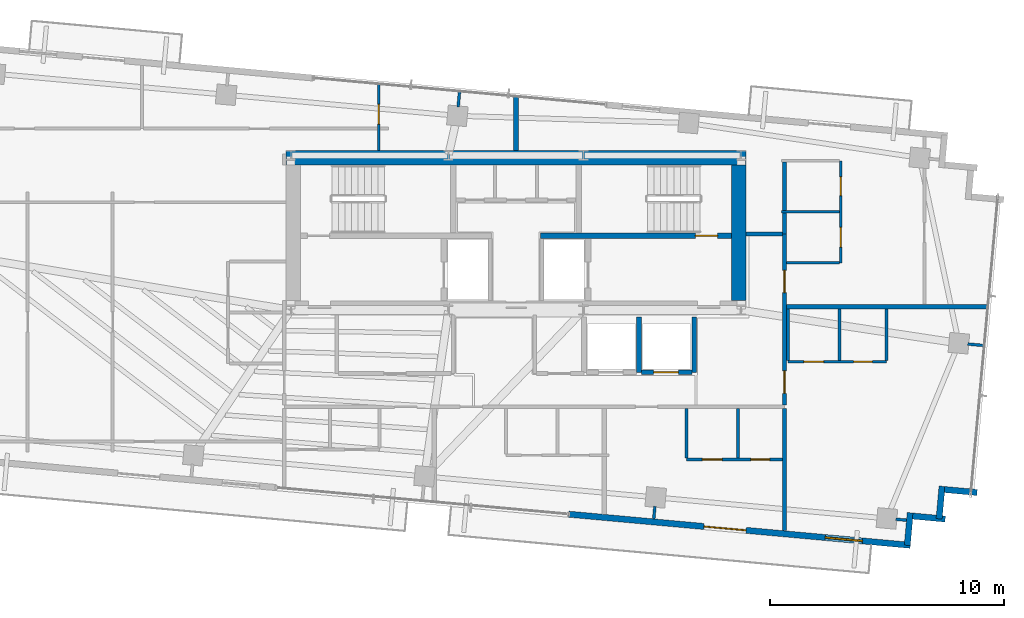
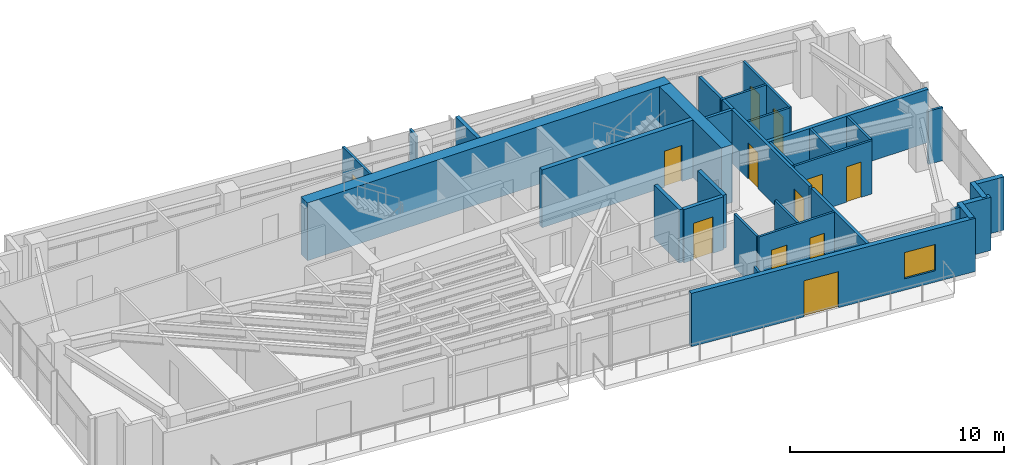
# One storey, part 18 of 22: 33 walls, 12 doors, 1 window, 13 openings.
"""IFC4 building model written with IfcOpenShell, lengths in metres."""

from ifc_helpers import new_model, si_unit, direction, frame, frame_2d, origin, place, context, subcontext, project, spatial, rectangle, extrude, source, transform, mapped, material, layer, layer_set, type_object, type_shapes, element, fill, save


model = new_model("IFC4")

# Units and contexts
model_context = context("Model", 3, precision=1e-05, world=origin(), true_north=direction((0.0, 1.0)))
body_context = subcontext(model_context, "Body", "Model", "MODEL_VIEW")
ifc_project = project(units=[si_unit("LENGTHUNIT", "METRE"), si_unit("AREAUNIT", "SQUARE_METRE"), si_unit("VOLUMEUNIT", "CUBIC_METRE"), si_unit("PLANEANGLEUNIT", "RADIAN"), si_unit("MASSUNIT", "GRAM", prefix="KILO")], contexts=[model_context])

# Site, building, storey
site_placement = place(None, origin())
site = spatial("IfcSite", under=ifc_project, at=site_placement, CompositionType="ELEMENT")
building_placement = place(site_placement, origin())
building = spatial("IfcBuilding", under=site, at=building_placement, Name="Astriad Promenade Condominiums", CompositionType="ELEMENT")
storey_placement = place(building_placement, frame((0.0, 0.0, 233.10009765625)))
storey = spatial("IfcBuildingStorey", under=building, at=storey_placement, Name="L67", CompositionType="ELEMENT", Elevation=233.10009765625)

# Walls
ifc_material_1 = material(Name="Concrete C50/60", Category="concrete")
ifc_layer_1 = layer(ifc_material_1, 0.60009765625)
ifc_layer_set_1 = layer_set([ifc_layer_1], Name="Concrete C50/60")
wall_type_1 = type_object("IfcWallType", Name="CW-SHEAR-600", PredefinedType="SHEAR", material=ifc_layer_set_1)
wall_1_placement = place(storey_placement, frame((26.199951171875, 23.89990234375, 0.0), z_axis=(0.0, 0.0, 1.0), x_axis=(1.0, 0.0, 0.0)))
element("IfcWall", 1, at=wall_1_placement, inside=storey, type_object=wall_type_1, Name="CW-CORE-N-L67", PredefinedType="SHEAR", context=body_context, shape_type="SweptSolid", body=[
    extrude(rectangle(XDim=19.60009765625, YDim=0.60009765625, at=frame_2d((9.800048828125, 0.0))), origin(), (0.0, 0.0, 1.0), 3.2998046875),
])
wall_2_placement = place(storey_placement, frame((45.5, 17.802001953125, 0.0), z_axis=(0.0, 0.0, 1.0), x_axis=(0.0, 1.0, 0.0)))
element("IfcWall", 2, at=wall_2_placement, inside=storey, type_object=wall_type_1, Name="CW-CORE-E-L67", PredefinedType="SHEAR", context=body_context, shape_type="SweptSolid", body=[
    extrude(rectangle(XDim=5.7958984375, YDim=0.60009765625, at=frame_2d((2.89794921875, 0.0))), origin(), (0.0, 0.0, 1.0), 3.2998046875),
])

# Wall, opening, door
ifc_layer_2 = layer(ifc_material_1, 0.25)
ifc_layer_set_2 = layer_set([ifc_layer_2], Name="Concrete C50/60")
wall_type_2 = type_object("IfcWallType", Name="WALL-CORE-INT-250", PredefinedType="SOLIDWALL", material=ifc_layer_set_2)
wall_3_placement = place(storey_placement, frame((37.050048828125, 20.574951171875, 0.0), z_axis=(0.0, 0.0, 1.0), x_axis=(1.0, 0.0, 0.0)))
wall_3 = element("IfcWall", 3, at=wall_3_placement, inside=storey, type_object=wall_type_2, Name="CW-INT-H2-L67", PredefinedType="SOLIDWALL", context=body_context, shape_type="SweptSolid", body=[
    extrude(rectangle(XDim=8.14794921875, YDim=0.25, at=frame_2d((4.073974609375, 0.0))), origin(), (0.0, 0.0, 1.0), 3.2998046875),
])
opening_1_placement = place(wall_3_placement, frame((6.60009765625, 0.0, 0.0)))
opening_1 = element("IfcOpeningElement", 4, at=opening_1_placement, cuts=wall_3, Name="Opening FD90-ST-095", PredefinedType="OPENING", context=body_context, shape_type="SweptSolid", body=[
    extrude(rectangle(XDim=0.949951171875, YDim=2.06005859375, at=frame_2d((0.47509765625, 1.030029296875))), frame((0.0, 0.135009765625, 0.0), z_axis=(0.0, -1.0, 0.0), x_axis=(1.0, 0.0, 0.0)), (0.0, 0.0, 1.0), 0.27001953125),
])
ifc_material_2 = material(Name="Fire-Rated Hollow Metal Stair Door")
door_type_1 = type_object("IfcDoorType", Name="FD90-ST-095", OperationType="NOTDEFINED", PredefinedType="DOOR", material=ifc_material_2)
shared_shape_1 = source(origin(), body_context, "Body", "SweptSolid", [
    extrude(rectangle(XDim=0.949951171875, YDim=2.06005859375, at=frame_2d((0.47509765625, 1.030029296875))), frame((0.0, 0.02490234375, 0.0), z_axis=(0.0, -1.0, 0.0), x_axis=(1.0, 0.0, 0.0)), (0.0, 0.0, 1.0), 0.050048828125),
])
type_shapes(door_type_1, [shared_shape_1])
door_1_placement = place(opening_1_placement, origin())
door_1 = element("IfcDoor", 5, at=door_1_placement, inside=storey, type_object=door_type_1, Name="D-ST2-L67", OperationType="SINGLE_SWING_LEFT", OverallHeight=2.06005859375, OverallWidth=0.949951171875, PredefinedType="DOOR", context=body_context, shape_type="MappedRepresentation", body=[
    mapped(shared_shape_1, transform((0.0, 0.0, 0.0), scale=1.0)),
])
fill(opening_1, door_1)

# Wall
ifc_material_3 = material(Name="Fire-Rated Gypsum Partition")
ifc_layer_3 = layer(ifc_material_3, 0.159912109375)
ifc_layer_set_3 = layer_set([ifc_layer_3], Name="Fire-Rated Gypsum Partition")
wall_type_3 = type_object("IfcWallType", Name="WALL-CORR-160", PredefinedType="PARTITIONING", material=ifc_layer_set_3)
wall_4_placement = place(storey_placement, frame((47.449951171875, 7.9931640625, 0.0), z_axis=(0.0, 0.0, 1.0), x_axis=(0.0, 1.0, 0.0)))
element("IfcWall", 6, at=wall_4_placement, inside=storey, type_object=wall_type_3, Name="PT-COR-E-L67", PredefinedType="PARTITIONING", context=body_context, shape_type="SweptSolid", body=[
    extrude(rectangle(XDim=5.204833984375, YDim=0.159912109375, at=frame_2d((2.6025390625, 0.0))), origin(), (0.0, 0.0, 1.0), 3.039794921875),
])

# Wall, openings, doors
wall_5_placement = place(storey_placement, frame((47.449951171875, 13.362060546875, 0.0), z_axis=(0.0, 0.0, 1.0), x_axis=(0.0, 1.0, 0.0)))
wall_5 = element("IfcWall", 7, at=wall_5_placement, inside=storey, type_object=wall_type_3, Name="PT-COR-E-L67-S2", PredefinedType="PARTITIONING", context=body_context, shape_type="SweptSolid", body=[
    extrude(rectangle(XDim=7.287841796875, YDim=0.159912109375, at=frame_2d((3.64404296875, 0.0))), origin(), (0.0, 0.0, 1.0), 3.039794921875),
])
opening_2_placement = place(wall_5_placement, frame((0.492919921875, 0.0, 0.0)))
opening_2 = element("IfcOpeningElement", 8, at=opening_2_placement, cuts=wall_5, Name="Opening FD60-APT-095", PredefinedType="OPENING", context=body_context, shape_type="SweptSolid", body=[
    extrude(rectangle(XDim=0.949951171875, YDim=2.06005859375, at=frame_2d((0.47509765625, 1.030029296875))), frame((0.0, 0.08984375, 0.0), z_axis=(0.0, -1.0, 0.0), x_axis=(1.0, 0.0, 0.0)), (0.0, 0.0, 1.0), 0.179931640625),
])
opening_3_placement = place(wall_5_placement, frame((4.782958984375, 0.0, 0.0)))
opening_3 = element("IfcOpeningElement", 9, at=opening_3_placement, cuts=wall_5, Name="Opening FD60-APT-095", PredefinedType="OPENING", context=body_context, shape_type="SweptSolid", body=[
    extrude(rectangle(XDim=0.949951171875, YDim=2.06005859375, at=frame_2d((0.47509765625, 1.030029296875))), frame((0.0, 0.08984375, 0.0), z_axis=(0.0, -1.0, 0.0), x_axis=(1.0, 0.0, 0.0)), (0.0, 0.0, 1.0), 0.179931640625),
])
ifc_material_4 = material(Name="Solid-Core Acoustic Timber Residence Entry Door", Category="wood")
door_type_2 = type_object("IfcDoorType", Name="FD60-APT-095", OperationType="NOTDEFINED", PredefinedType="DOOR", material=ifc_material_4)
shared_shape_2 = source(origin(), body_context, "Body", "SweptSolid", [
    extrude(rectangle(XDim=0.949951171875, YDim=2.06005859375, at=frame_2d((0.47509765625, 1.030029296875))), frame((0.0, 0.02490234375, 0.0), z_axis=(0.0, -1.0, 0.0), x_axis=(1.0, 0.0, 0.0)), (0.0, 0.0, 1.0), 0.050048828125),
])
type_shapes(door_type_2, [shared_shape_2])
door_2_placement = place(opening_2_placement, origin())
door_2 = element("IfcDoor", 10, at=door_2_placement, inside=storey, type_object=door_type_2, Name="D-ENT-L67-E1", OperationType="SINGLE_SWING_RIGHT", OverallHeight=2.06005859375, OverallWidth=0.949951171875, PredefinedType="DOOR", context=body_context, shape_type="MappedRepresentation", body=[
    mapped(shared_shape_2, transform((0.0, 0.0, 0.0), scale=1.0)),
])
fill(opening_2, door_2)
door_3_placement = place(opening_3_placement, origin())
door_3 = element("IfcDoor", 11, at=door_3_placement, inside=storey, type_object=door_type_2, Name="D-ENT-L67-E2", OperationType="SINGLE_SWING_LEFT", OverallHeight=2.06005859375, OverallWidth=0.949951171875, PredefinedType="DOOR", context=body_context, shape_type="MappedRepresentation", body=[
    mapped(shared_shape_2, transform((0.0, 0.0, 0.0), scale=1.0)),
])
fill(opening_3, door_3)

# Walls
wall_6_placement = place(storey_placement, frame((45.802001953125, 20.64990234375, 0.0), z_axis=(0.0, 0.0, 1.0), x_axis=(1.0, 0.0, 0.0)))
element("IfcWall", 12, at=wall_6_placement, inside=storey, type_object=wall_type_3, Name="PT-Z3E-N-L67", PredefinedType="PARTITIONING", context=body_context, shape_type="SweptSolid", body=[
    extrude(rectangle(XDim=1.56591796875, YDim=0.159912109375, at=frame_2d((0.782958984375, 0.0))), origin(), (0.0, 0.0, 1.0), 3.039794921875),
])
wall_7_placement = place(storey_placement, frame((47.449951171875, 20.64990234375, 0.0), z_axis=(0.0, 0.0, 1.0), x_axis=(0.0, 1.0, 0.0)))
element("IfcWall", 13, at=wall_7_placement, inside=storey, type_object=wall_type_3, Name="PT-L67-E2-PBK", PredefinedType="PARTITIONING", context=body_context, shape_type="SweptSolid", body=[
    extrude(rectangle(XDim=0.883056640625, YDim=0.159912109375, at=frame_2d((0.44140625, 0.0))), origin(), (0.0, 0.0, 1.0), 3.039794921875),
])
wall_8_placement = place(storey_placement, frame((47.449951171875, 21.656982421875, 0.0), z_axis=(0.0, 0.0, 1.0), x_axis=(0.0, 1.0, 0.0)))
element("IfcWall", 14, at=wall_8_placement, inside=storey, type_object=wall_type_3, Name="PT-L67-E2-PBK-S2", PredefinedType="PARTITIONING", context=body_context, shape_type="SweptSolid", body=[
    extrude(rectangle(XDim=2.051025390625, YDim=0.159912109375, at=frame_2d((1.025390625, 0.0))), origin(), (0.0, 0.0, 1.0), 3.039794921875),
])
ifc_material_5 = material(Name="Acoustic Double-Stud Gypsum Partition")
ifc_layer_4 = layer(ifc_material_5, 0.199951171875)
ifc_layer_set_4 = layer_set([ifc_layer_4], Name="Acoustic Double-Stud Gypsum Partition")
wall_type_4 = type_object("IfcWallType", Name="WALL-DEMISING-200", PredefinedType="PARTITIONING", material=ifc_layer_set_4)
wall_9_placement = place(storey_placement, frame((36.0, 24.201904296875, 0.0), z_axis=(0.0, 0.0, 1.0), x_axis=(0.0, 1.0, 0.0)))
element("IfcWall", 15, at=wall_9_placement, inside=storey, type_object=wall_type_4, Name="PT-NC-MID-L67", PredefinedType="PARTITIONING", context=body_context, shape_type="SweptSolid", body=[
    extrude(rectangle(XDim=2.36328125, YDim=0.199951171875, at=frame_2d((1.181640625, 0.0))), origin(), (0.0, 0.0, 1.0), 3.039794921875),
])
wall_10_placement = place(storey_placement, frame((47.531982421875, 17.550048828125, 0.0), z_axis=(0.0, 0.0, 1.0), x_axis=(1.0, 0.0, 0.0)))
element("IfcWall", 16, at=wall_10_placement, inside=storey, type_object=wall_type_4, Name="PT-DEM-EE-L67", PredefinedType="PARTITIONING", context=body_context, shape_type="SweptSolid", body=[
    extrude(rectangle(XDim=8.643310546875, YDim=0.199951171875, at=frame_2d((4.32177734375, 0.0))), origin(), (0.0, 0.0, 1.0), 3.039794921875),
])
ifc_material_6 = material(Name="Precast concrete C50/60", Category="concrete")
ifc_layer_5 = layer(ifc_material_6, 0.260009765625)
ifc_layer_set_5 = layer_set([ifc_layer_5], Name="Precast concrete C50/60")
wall_type_5 = type_object("IfcWallType", Name="WALL-EXT-TWR-260", PredefinedType="STANDARD", material=ifc_layer_set_5)
for number, where, z_axis, x_axis, name in (
    (17, (55.664794921875, 9.623291015625, 0.0), (0.0, 0.0, 1.0), (-0.995881721538, 0.090661991521, 0.0), "W-SER-L67-14"),
    (18, (54.1728515625, 9.889404296875, 0.0), (0.0, 0.0, 1.0), (-0.090661991521, -0.995881721538, 0.0), "W-SER-L67-15"),
):
    element("IfcWall", number, at=place(storey_placement, frame(where, z_axis=z_axis, x_axis=x_axis)), inside=storey, type_object=wall_type_5, Name=name, PredefinedType="STANDARD", context=body_context, shape_type="SweptSolid", body=[
        extrude(rectangle(XDim=1.39501953125, YDim=0.260009765625, at=frame_2d((0.697509765625, 0.0))), origin(), (0.0, 0.0, 1.0), 3.039794921875),
    ])
for number, where, z_axis, x_axis, name in (
    (19, (54.306884765625, 8.49169921875, 0.0), (0.0, 0.0, 1.0), (-0.995883159782, 0.090646191665, 0.0), "W-SER-L67-16"),
    (20, (52.814697265625, 8.758056640625, 0.0), (0.0, 0.0, 1.0), (-0.090646191665, -0.995883159782, 0.0), "W-SER-L67-17"),
):
    element("IfcWall", number, at=place(storey_placement, frame(where, z_axis=z_axis, x_axis=x_axis)), inside=storey, type_object=wall_type_5, Name=name, PredefinedType="STANDARD", context=body_context, shape_type="SweptSolid", body=[
        extrude(rectangle(XDim=1.395263671875, YDim=0.260009765625, at=frame_2d((0.69775390625, 0.0))), origin(), (0.0, 0.0, 1.0), 3.039794921875),
    ])

# Wall, openings, door, window
wall_11_placement = place(storey_placement, frame((52.819091796875, 7.371826171875, 0.0), z_axis=(0.0, 0.0, 1.0), x_axis=(-0.995884447498, 0.090632043071, 0.0)))
wall_11 = element("IfcWall", 21, at=wall_11_placement, inside=storey, type_object=wall_type_5, Name="W-EXT-L67-S1", PredefinedType="STANDARD", context=body_context, shape_type="SweptSolid", body=[
    extrude(rectangle(XDim=14.6298828125, YDim=0.260009765625, at=frame_2d((7.31494140625, 0.0))), origin(), (0.0, 0.0, 1.0), 3.039794921875),
])
opening_4_placement = place(wall_11_placement, frame((7.037109375, 0.0, 0.0)))
opening_4 = element("IfcOpeningElement", 22, at=opening_4_placement, cuts=wall_11, Name="Opening BD-1822-SLD", PredefinedType="OPENING", context=body_context, shape_type="SweptSolid", body=[
    extrude(rectangle(XDim=1.800048828125, YDim=2.06005859375, at=frame_2d((0.89990234375, 1.030029296875))), frame((0.0, 0.139892578125, 0.0), z_axis=(0.0, -1.0, 0.0), x_axis=(1.0, 0.0, 0.0)), (0.0, 0.0, 1.0), 0.280029296875),
])
opening_5_placement = place(wall_11_placement, frame((2.050048828125, 0.0, 0.64990234375)))
opening_5 = element("IfcOpeningElement", 23, at=opening_5_placement, cuts=wall_11, Name="Opening WIN-TWR-1620", PredefinedType="OPENING", context=body_context, shape_type="SweptSolid", body=[
    extrude(rectangle(XDim=1.60009765625, YDim=1.5, at=frame_2d((0.800048828125, 0.75))), frame((0.0, 0.139892578125, 0.0), z_axis=(0.0, -1.0, 0.0), x_axis=(1.0, 0.0, 0.0)), (0.0, 0.0, 1.0), 0.280029296875),
])
ifc_material_7 = material(Name="Thermally Broken Aluminium Sliding Balcony Door", Category="aluminium")
door_type_3 = type_object("IfcDoorType", Name="BD-1822-SLD", OperationType="NOTDEFINED", PredefinedType="DOOR", material=ifc_material_7)
shared_shape_3 = source(origin(), body_context, "Body", "SweptSolid", [
    extrude(rectangle(XDim=1.800048828125, YDim=2.06005859375, at=frame_2d((0.89990234375, 1.030029296875))), frame((0.0, 0.02490234375, 0.0), z_axis=(0.0, -1.0, 0.0), x_axis=(1.0, 0.0, 0.0)), (0.0, 0.0, 1.0), 0.050048828125),
])
type_shapes(door_type_3, [shared_shape_3])
door_4_placement = place(opening_4_placement, origin())
door_4 = element("IfcDoor", 24, at=door_4_placement, inside=storey, type_object=door_type_3, Name="BD-L67-SE", OperationType="SLIDING_TO_RIGHT", OverallHeight=2.06005859375, OverallWidth=1.800048828125, PredefinedType="DOOR", context=body_context, shape_type="MappedRepresentation", body=[
    mapped(shared_shape_3, transform((0.0, 0.0, 0.0), scale=1.0)),
])
fill(opening_4, door_4)
ifc_material_8 = material(Name="Dark Tinted Triple-Glazed Aluminium Window", Category="aluminium")
window_type = type_object("IfcWindowType", Name="WIN-TWR-1620", PartitioningType="SINGLE_PANEL", PredefinedType="WINDOW", material=ifc_material_8)
shared_shape_4 = source(origin(), body_context, "Body", "SweptSolid", [
    extrude(rectangle(XDim=1.60009765625, YDim=1.5, at=frame_2d((0.800048828125, 0.75))), frame((0.0, 0.030029296875, 0.0), z_axis=(0.0, -1.0, 0.0), x_axis=(1.0, 0.0, 0.0)), (0.0, 0.0, 1.0), 0.06005859375),
])
type_shapes(window_type, [shared_shape_4])
window_placement = place(opening_5_placement, origin())
window = element("IfcWindow", 25, at=window_placement, inside=storey, type_object=window_type, Name="WIN-L67-SE", OverallHeight=1.5, OverallWidth=1.60009765625, PartitioningType="SINGLE_PANEL", PredefinedType="WINDOW", context=body_context, shape_type="MappedRepresentation", body=[
    mapped(shared_shape_4, transform((0.0, 0.0, 0.0), scale=1.0)),
])
fill(opening_5, window)

# Wall, openings, doors
ifc_material_9 = material(Name="Acoustic Metal-Stud Gypsum Partition")
ifc_layer_6 = layer(ifc_material_9, 0.1201171875)
ifc_layer_set_6 = layer_set([ifc_layer_6], Name="Acoustic Metal-Stud Gypsum Partition")
wall_type_6 = type_object("IfcWallType", Name="WALL-PART-120", PredefinedType="PARTITIONING", material=ifc_layer_set_6)
wall_12_placement = place(storey_placement, frame((43.27001953125, 11.030029296875, 0.0), z_axis=(0.0, 0.0, 1.0), x_axis=(1.0, 0.0, 0.0)))
wall_12 = element("IfcWall", 26, at=wall_12_placement, inside=storey, type_object=wall_type_6, Name="PT-L67-S3-PS", PredefinedType="PARTITIONING", context=body_context, shape_type="SweptSolid", body=[
    extrude(rectangle(XDim=4.097900390625, YDim=0.1201171875, at=frame_2d((2.048828125, 0.0))), origin(), (0.0, 0.0, 1.0), 3.039794921875),
])
opening_6_placement = place(wall_12_placement, frame((0.675048828125, 0.0, 0.0)))
opening_6 = element("IfcOpeningElement", 27, at=opening_6_placement, cuts=wall_12, Name="Opening D-INT-085", PredefinedType="OPENING", context=body_context, shape_type="SweptSolid", body=[
    extrude(rectangle(XDim=0.85009765625, YDim=2.050048828125, at=frame_2d((0.425048828125, 1.02490234375))), frame((0.0, 0.070068359375, 0.0), z_axis=(0.0, -1.0, 0.0), x_axis=(1.0, 0.0, 0.0)), (0.0, 0.0, 1.0), 0.14013671875),
])
opening_7_placement = place(wall_12_placement, frame((2.75, 0.0, 0.0)))
opening_7 = element("IfcOpeningElement", 28, at=opening_7_placement, cuts=wall_12, Name="Opening D-WET-080", PredefinedType="OPENING", context=body_context, shape_type="SweptSolid", body=[
    extrude(rectangle(XDim=0.800048828125, YDim=2.02001953125, at=frame_2d((0.39990234375, 1.010009765625))), frame((0.0, 0.070068359375, 0.0), z_axis=(0.0, -1.0, 0.0), x_axis=(1.0, 0.0, 0.0)), (0.0, 0.0, 1.0), 0.14013671875),
])
ifc_material_10 = material(Name="Moisture-Resistant Timber Bathroom Door", Category="wood")
door_type_4 = type_object("IfcDoorType", Name="D-WET-080", OperationType="NOTDEFINED", PredefinedType="DOOR", material=ifc_material_10)
shared_shape_5 = source(origin(), body_context, "Body", "SweptSolid", [
    extrude(rectangle(XDim=0.800048828125, YDim=2.02001953125, at=frame_2d((0.39990234375, 1.010009765625))), frame((0.0, 0.02490234375, 0.0), z_axis=(0.0, -1.0, 0.0), x_axis=(1.0, 0.0, 0.0)), (0.0, 0.0, 1.0), 0.050048828125),
])
type_shapes(door_type_4, [shared_shape_5])
door_5_placement = place(opening_7_placement, origin())
door_5 = element("IfcDoor", 29, at=door_5_placement, inside=storey, type_object=door_type_4, Name="D-BTH-L67-S3", OperationType="SINGLE_SWING_LEFT", OverallHeight=2.02001953125, OverallWidth=0.800048828125, PredefinedType="DOOR", context=body_context, shape_type="MappedRepresentation", body=[
    mapped(shared_shape_5, transform((0.0, 0.0, 0.0), scale=1.0)),
])
fill(opening_7, door_5)
ifc_material_11 = material(Name="Painted Solid-Core Timber Room Door", Category="wood")
door_type_5 = type_object("IfcDoorType", Name="D-INT-085", OperationType="NOTDEFINED", PredefinedType="DOOR", material=ifc_material_11)
shared_shape_6 = source(origin(), body_context, "Body", "SweptSolid", [
    extrude(rectangle(XDim=0.85009765625, YDim=2.050048828125, at=frame_2d((0.425048828125, 1.02490234375))), frame((0.0, 0.02490234375, 0.0), z_axis=(0.0, -1.0, 0.0), x_axis=(1.0, 0.0, 0.0)), (0.0, 0.0, 1.0), 0.050048828125),
])
type_shapes(door_type_5, [shared_shape_6])
door_6_placement = place(opening_6_placement, origin())
door_6 = element("IfcDoor", 30, at=door_6_placement, inside=storey, type_object=door_type_5, Name="D-KIT-L67-S3", OperationType="SINGLE_SWING_RIGHT", OverallHeight=2.050048828125, OverallWidth=0.85009765625, PredefinedType="DOOR", context=body_context, shape_type="MappedRepresentation", body=[
    mapped(shared_shape_6, transform((0.0, 0.0, 0.0), scale=1.0)),
])
fill(opening_6, door_6)

# Walls
for number, where, z_axis, x_axis, name in (
    (31, (43.27001953125, 11.092041015625, 0.0), (0.0, 0.0, 1.0), (0.0, 1.0, 0.0), "PT-L67-S3-PK"),
    (32, (45.469970703125, 11.092041015625, 0.0), (0.0, 0.0, 1.0), (0.0, 1.0, 0.0), "PT-L67-S3-PB"),
):
    element("IfcWall", number, at=place(storey_placement, frame(where, z_axis=z_axis, x_axis=x_axis)), inside=storey, type_object=wall_type_6, Name=name, PredefinedType="PARTITIONING", context=body_context, shape_type="SweptSolid", body=[
        extrude(rectangle(XDim=2.10595703125, YDim=0.1201171875, at=frame_2d((1.052978515625, 0.0))), origin(), (0.0, 0.0, 1.0), 3.039794921875),
    ])

# Wall, opening, door
wall_13_placement = place(storey_placement, frame((30.14990234375, 24.201904296875, 0.0), z_axis=(0.0, 0.0, 1.0), x_axis=(0.0, 1.0, 0.0)))
wall_13 = element("IfcWall", 33, at=wall_13_placement, inside=storey, type_object=wall_type_6, Name="PT-L67-W1-NC", PredefinedType="PARTITIONING", context=body_context, shape_type="SweptSolid", body=[
    extrude(rectangle(XDim=2.895751953125, YDim=0.1201171875, at=frame_2d((1.44775390625, 0.0))), origin(), (0.0, 0.0, 1.0), 3.039794921875),
])
opening_8_placement = place(wall_13_placement, frame((1.1279296875, 0.0, 0.0)))
opening_8 = element("IfcOpeningElement", 34, at=opening_8_placement, cuts=wall_13, Name="Opening D-INT-085", PredefinedType="OPENING", context=body_context, shape_type="SweptSolid", body=[
    extrude(rectangle(XDim=0.85009765625, YDim=2.050048828125, at=frame_2d((0.425048828125, 1.02490234375))), frame((0.0, 0.070068359375, 0.0), z_axis=(0.0, -1.0, 0.0), x_axis=(1.0, 0.0, 0.0)), (0.0, 0.0, 1.0), 0.14013671875),
])
door_7_placement = place(opening_8_placement, origin())
door_7 = element("IfcDoor", 35, at=door_7_placement, inside=storey, type_object=door_type_5, Name="D-NC-L67-W1", OperationType="SINGLE_SWING_LEFT", OverallHeight=2.050048828125, OverallWidth=0.85009765625, PredefinedType="DOOR", context=body_context, shape_type="MappedRepresentation", body=[
    mapped(shared_shape_6, transform((0.0, 0.0, 0.0), scale=1.0)),
])
fill(opening_8, door_7)

# Wall, openings, doors
wall_14_placement = place(storey_placement, frame((47.60009765625, 15.199951171875, 0.0), z_axis=(0.0, 0.0, 1.0), x_axis=(1.0, 0.0, 0.0)))
wall_14 = element("IfcWall", 36, at=wall_14_placement, inside=storey, type_object=wall_type_6, Name="PT-L67-E1-PH", PredefinedType="PARTITIONING", context=body_context, shape_type="SweptSolid", body=[
    extrude(rectangle(XDim=4.199951171875, YDim=0.1201171875, at=frame_2d((2.10009765625, 0.0))), origin(), (0.0, 0.0, 1.0), 3.039794921875),
])
opening_9_placement = place(wall_14_placement, frame((0.675048828125, 0.0, 0.0)))
opening_9 = element("IfcOpeningElement", 37, at=opening_9_placement, cuts=wall_14, Name="Opening D-INT-085", PredefinedType="OPENING", context=body_context, shape_type="SweptSolid", body=[
    extrude(rectangle(XDim=0.85009765625, YDim=2.050048828125, at=frame_2d((0.425048828125, 1.02490234375))), frame((0.0, 0.070068359375, 0.0), z_axis=(0.0, -1.0, 0.0), x_axis=(1.0, 0.0, 0.0)), (0.0, 0.0, 1.0), 0.14013671875),
])
opening_10_placement = place(wall_14_placement, frame((2.800048828125, 0.0, 0.0)))
opening_10 = element("IfcOpeningElement", 38, at=opening_10_placement, cuts=wall_14, Name="Opening D-WET-080", PredefinedType="OPENING", context=body_context, shape_type="SweptSolid", body=[
    extrude(rectangle(XDim=0.800048828125, YDim=2.02001953125, at=frame_2d((0.39990234375, 1.010009765625))), frame((0.0, 0.070068359375, 0.0), z_axis=(0.0, -1.0, 0.0), x_axis=(1.0, 0.0, 0.0)), (0.0, 0.0, 1.0), 0.14013671875),
])
door_8_placement = place(opening_10_placement, origin())
door_8 = element("IfcDoor", 39, at=door_8_placement, inside=storey, type_object=door_type_4, Name="D-BTH-L67-E1", OperationType="SINGLE_SWING_RIGHT", OverallHeight=2.02001953125, OverallWidth=0.800048828125, PredefinedType="DOOR", context=body_context, shape_type="MappedRepresentation", body=[
    mapped(shared_shape_5, transform((0.0, 0.0, 0.0), scale=1.0)),
])
fill(opening_10, door_8)
door_9_placement = place(opening_9_placement, origin())
door_9 = element("IfcDoor", 40, at=door_9_placement, inside=storey, type_object=door_type_5, Name="D-KIT-L67-E1", OperationType="SINGLE_SWING_LEFT", OverallHeight=2.050048828125, OverallWidth=0.85009765625, PredefinedType="DOOR", context=body_context, shape_type="MappedRepresentation", body=[
    mapped(shared_shape_6, transform((0.0, 0.0, 0.0), scale=1.0)),
])
fill(opening_9, door_9)

# Walls
for number, where, z_axis, x_axis, name in (
    (41, (47.60009765625, 15.261962890625, 0.0), (0.0, 0.0, 1.0), (0.0, 1.0, 0.0), "PT-L67-E1-PK1"),
    (42, (49.800048828125, 15.261962890625, 0.0), (0.0, 0.0, 1.0), (0.0, 1.0, 0.0), "PT-L67-E1-PK2"),
    (43, (51.800048828125, 15.261962890625, 0.0), (0.0, 0.0, 1.0), (0.0, 1.0, 0.0), "PT-L67-E1-PK3"),
):
    element("IfcWall", number, at=place(storey_placement, frame(where, z_axis=z_axis, x_axis=x_axis)), inside=storey, type_object=wall_type_6, Name=name, PredefinedType="PARTITIONING", context=body_context, shape_type="SweptSolid", body=[
        extrude(rectangle(XDim=2.18603515625, YDim=0.1201171875, at=frame_2d((1.093017578125, 0.0))), origin(), (0.0, 0.0, 1.0), 3.039794921875),
    ])

# Wall, openings, doors
wall_15_placement = place(storey_placement, frame((49.85009765625, 19.419921875, 0.0), z_axis=(0.0, 0.0, 1.0), x_axis=(0.0, 1.0, 0.0)))
wall_15 = element("IfcWall", 44, at=wall_15_placement, inside=storey, type_object=wall_type_6, Name="PT-L67-E2-PV", PredefinedType="PARTITIONING", context=body_context, shape_type="SweptSolid", body=[
    extrude(rectangle(XDim=4.35009765625, YDim=0.1201171875, at=frame_2d((2.175048828125, 0.0))), origin(), (0.0, 0.0, 1.0), 3.039794921875),
])
opening_11_placement = place(wall_15_placement, frame((0.6630859375, 0.0, 0.0)))
opening_11 = element("IfcOpeningElement", 45, at=opening_11_placement, cuts=wall_15, Name="Opening D-INT-085", PredefinedType="OPENING", context=body_context, shape_type="SweptSolid", body=[
    extrude(rectangle(XDim=0.85009765625, YDim=2.050048828125, at=frame_2d((0.425048828125, 1.02490234375))), frame((0.0, 0.070068359375, 0.0), z_axis=(0.0, -1.0, 0.0), x_axis=(1.0, 0.0, 0.0)), (0.0, 0.0, 1.0), 0.14013671875),
])
opening_12_placement = place(wall_15_placement, frame((2.862060546875, 0.0, 0.0)))
opening_12 = element("IfcOpeningElement", 46, at=opening_12_placement, cuts=wall_15, Name="Opening D-WET-080", PredefinedType="OPENING", context=body_context, shape_type="SweptSolid", body=[
    extrude(rectangle(XDim=0.800048828125, YDim=2.02001953125, at=frame_2d((0.39990234375, 1.010009765625))), frame((0.0, 0.070068359375, 0.0), z_axis=(0.0, -1.0, 0.0), x_axis=(1.0, 0.0, 0.0)), (0.0, 0.0, 1.0), 0.14013671875),
])
door_10_placement = place(opening_12_placement, origin())
door_10 = element("IfcDoor", 47, at=door_10_placement, inside=storey, type_object=door_type_4, Name="D-BTH-L67-E2", OperationType="SINGLE_SWING_LEFT", OverallHeight=2.02001953125, OverallWidth=0.800048828125, PredefinedType="DOOR", context=body_context, shape_type="MappedRepresentation", body=[
    mapped(shared_shape_5, transform((0.0, 0.0, 0.0), scale=1.0)),
])
fill(opening_12, door_10)
door_11_placement = place(opening_11_placement, origin())
door_11 = element("IfcDoor", 48, at=door_11_placement, inside=storey, type_object=door_type_5, Name="D-KIT-L67-E2", OperationType="SINGLE_SWING_RIGHT", OverallHeight=2.050048828125, OverallWidth=0.85009765625, PredefinedType="DOOR", context=body_context, shape_type="MappedRepresentation", body=[
    mapped(shared_shape_6, transform((0.0, 0.0, 0.0), scale=1.0)),
])
fill(opening_11, door_11)

# Walls
wall_16_placement = place(storey_placement, frame((47.330078125, 21.594970703125, 0.0), z_axis=(0.0, 0.0, 1.0), x_axis=(1.0, 0.0, 0.0)))
element("IfcWall", 49, at=wall_16_placement, inside=storey, type_object=wall_type_6, Name="PT-L67-E2-PM", PredefinedType="PARTITIONING", context=body_context, shape_type="SweptSolid", body=[
    extrude(rectangle(XDim=2.4580078125, YDim=0.1201171875, at=frame_2d((1.22900390625, 0.0))), origin(), (0.0, 0.0, 1.0), 3.039794921875),
])
wall_17_placement = place(storey_placement, frame((47.531982421875, 19.419921875, 0.0), z_axis=(0.0, 0.0, 1.0), x_axis=(1.0, 0.0, 0.0)))
element("IfcWall", 50, at=wall_17_placement, inside=storey, type_object=wall_type_6, Name="PT-L67-E2-PS", PredefinedType="PARTITIONING", context=body_context, shape_type="SweptSolid", body=[
    extrude(rectangle(XDim=2.256103515625, YDim=0.1201171875, at=frame_2d((1.1279296875, 0.0))), origin(), (0.0, 0.0, 1.0), 3.039794921875),
])
wall_18_placement = place(storey_placement, frame((41.92529296875, 9.0361328125, 0.0), z_axis=(0.0, 0.0, 1.0), x_axis=(-0.090740281653, -0.995874591144, 0.0)))
element("IfcWall", 51, at=wall_18_placement, inside=storey, type_object=wall_type_6, Name="PT-PIL-L67-PC04-11", PredefinedType="PARTITIONING", context=body_context, shape_type="SweptSolid", body=[
    extrude(rectangle(XDim=0.5380859375, YDim=0.1201171875, at=frame_2d((0.26904296875, 0.0))), origin(), (0.0, 0.0, 1.0), 3.039794921875),
])
wall_19_placement = place(storey_placement, frame((52.197265625, 8.48291015625, 0.0), z_axis=(0.0, 0.0, 1.0), x_axis=(0.995884462012, -0.090631883588, 0.0)))
element("IfcWall", 52, at=wall_19_placement, inside=storey, type_object=wall_type_6, Name="PT-PIL-L67-PC05-12", PredefinedType="PARTITIONING", context=body_context, shape_type="SweptSolid", body=[
    extrude(rectangle(XDim=0.4580078125, YDim=0.1201171875, at=frame_2d((0.22900390625, 0.0))), origin(), (0.0, 0.0, 1.0), 3.039794921875),
])
wall_20_placement = place(storey_placement, frame((33.5341796875, 26.066650390625, 0.0), z_axis=(0.0, 0.0, 1.0), x_axis=(0.090535746043, 0.995893206468, 0.0)))
element("IfcWall", 53, at=wall_20_placement, inside=storey, type_object=wall_type_6, Name="PT-PIL-L67-PC08-15", PredefinedType="PARTITIONING", context=body_context, shape_type="SweptSolid", body=[
    extrude(rectangle(XDim=0.719970703125, YDim=0.1201171875, at=frame_2d((0.35986328125, 0.0))), origin(), (0.0, 0.0, 1.0), 3.039794921875),
])
wall_21_placement = place(storey_placement, frame((55.26708984375, 15.955322265625, 0.0), z_axis=(0.0, 0.0, 1.0), x_axis=(0.995887938321, -0.09059367697, 0.0)))
element("IfcWall", 54, at=wall_21_placement, inside=storey, type_object=wall_type_6, Name="PT-PIL-L67-PC12-19", PredefinedType="PARTITIONING", context=body_context, shape_type="SweptSolid", body=[
    extrude(rectangle(XDim=0.760009765625, YDim=0.1201171875, at=frame_2d((0.3798828125, 0.0))), origin(), (0.0, 0.0, 1.0), 3.039794921875),
])
ifc_material_12 = material(Name="Gypsum Shaftliner Assembly")
ifc_layer_7 = layer(ifc_material_12, 0.199951171875)
ifc_layer_set_7 = layer_set([ifc_layer_7], Name="Gypsum Shaftliner Assembly")
wall_type_7 = type_object("IfcWallType", Name="WALL-SHAFT-200", PredefinedType="PARTITIONING", material=ifc_layer_set_7)
for number, where, z_axis, x_axis, name in (
    (55, (41.25, 14.75, 0.0), (0.0, 0.0, 1.0), (0.0, 1.0, 0.0), "PL-H-DIV-L67"),
    (56, (43.60009765625, 14.75, 0.0), (0.0, 0.0, 1.0), (0.0, 1.0, 0.0), "PL-E-OUT-L67"),
):
    element("IfcWall", number, at=place(storey_placement, frame(where, z_axis=z_axis, x_axis=x_axis)), inside=storey, type_object=wall_type_7, Name=name, PredefinedType="PARTITIONING", context=body_context, shape_type="SweptSolid", body=[
        extrude(rectangle(XDim=2.35009765625, YDim=0.199951171875, at=frame_2d((1.175048828125, 0.0))), origin(), (0.0, 0.0, 1.0), 3.039794921875),
    ])

# Wall, opening, door
wall_22_placement = place(storey_placement, frame((41.35205078125, 14.75, 0.0), z_axis=(0.0, 0.0, 1.0), x_axis=(1.0, 0.0, 0.0)))
wall_22 = element("IfcWall", 57, at=wall_22_placement, inside=storey, type_object=wall_type_7, Name="PL-H-FRT-L67-S2", PredefinedType="PARTITIONING", context=body_context, shape_type="SweptSolid", body=[
    extrude(rectangle(XDim=2.14599609375, YDim=0.199951171875, at=frame_2d((1.072998046875, 0.0))), origin(), (0.0, 0.0, 1.0), 3.039794921875),
])
opening_13_placement = place(wall_22_placement, frame((0.52294921875, 0.0, 0.0)))
opening_13 = element("IfcOpeningElement", 58, at=opening_13_placement, cuts=wall_22, Name="Opening LD-PL-10522", PredefinedType="OPENING", context=body_context, shape_type="SweptSolid", body=[
    extrude(rectangle(XDim=1.050048828125, YDim=2.080078125, at=frame_2d((0.52490234375, 1.0400390625))), frame((0.0, 0.10986328125, 0.0), z_axis=(0.0, -1.0, 0.0), x_axis=(1.0, 0.0, 0.0)), (0.0, 0.0, 1.0), 0.219970703125),
])
ifc_material_13 = material(Name="Brushed Bronze Passenger Elevator Landing Door")
door_type_6 = type_object("IfcDoorType", Name="LD-PL-10522", OperationType="NOTDEFINED", PredefinedType="DOOR", material=ifc_material_13)
shared_shape_7 = source(origin(), body_context, "Body", "SweptSolid", [
    extrude(rectangle(XDim=1.050048828125, YDim=2.080078125, at=frame_2d((0.52490234375, 1.0400390625))), frame((0.0, 0.02490234375, 0.0), z_axis=(0.0, -1.0, 0.0), x_axis=(1.0, 0.0, 0.0)), (0.0, 0.0, 1.0), 0.050048828125),
])
type_shapes(door_type_6, [shared_shape_7])
door_12_placement = place(opening_13_placement, origin())
door_12 = element("IfcDoor", 59, at=door_12_placement, inside=storey, type_object=door_type_6, Name="Elevator Landing Door PL-H2 (L67)", OperationType="SLIDING_TO_RIGHT", OverallHeight=2.080078125, OverallWidth=1.050048828125, PredefinedType="DOOR", context=body_context, shape_type="MappedRepresentation", body=[
    mapped(shared_shape_7, transform((0.0, 0.0, 0.0), scale=1.0)),
])
fill(opening_13, door_12)

save(model, "model.ifc")
